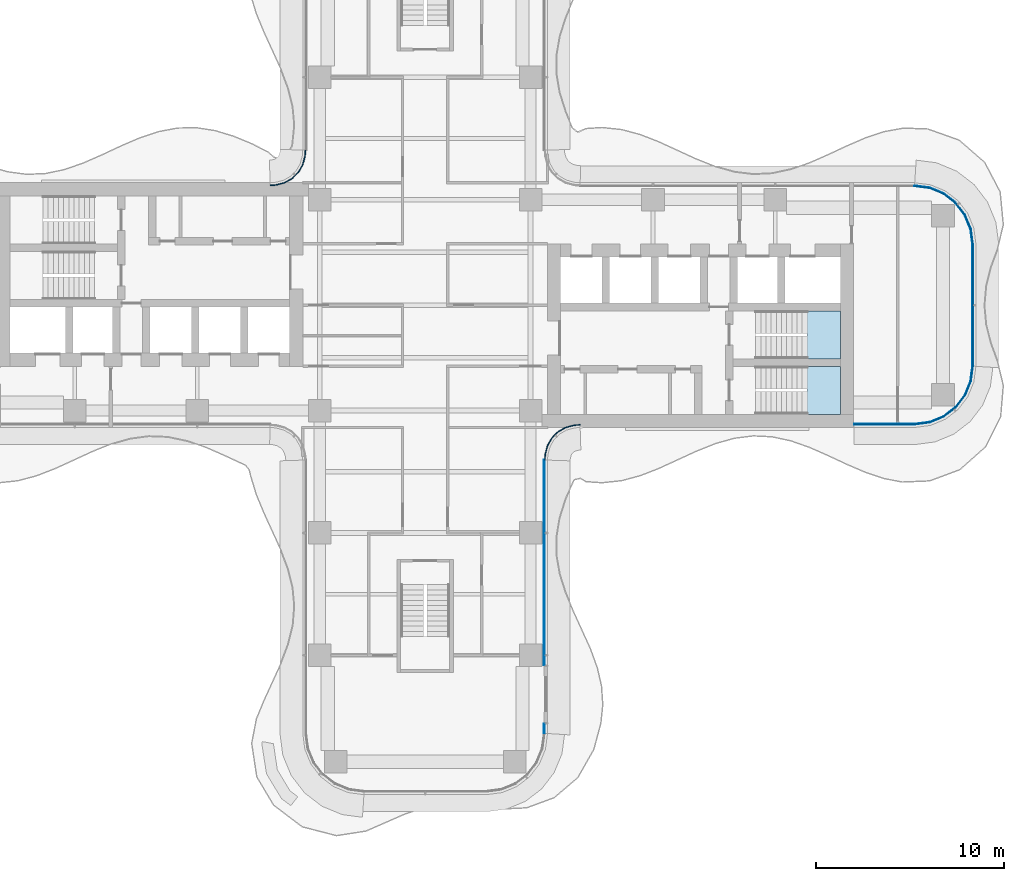
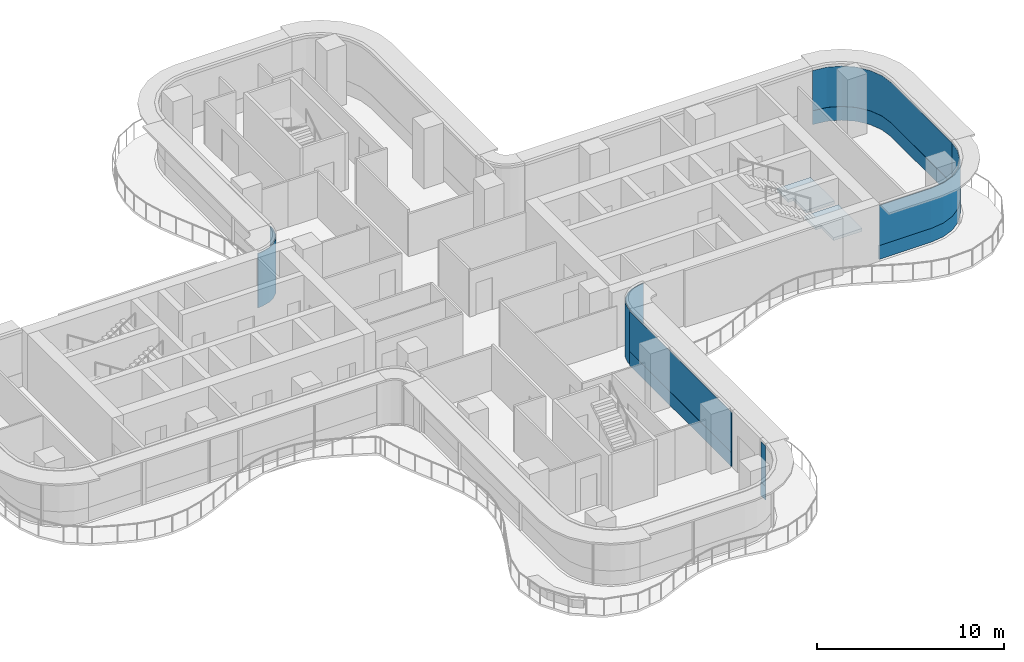
# One storey, part 11 of 18: 10 plates, 2 slabs, 8 elements without a shape of their own.
"""IFC4 building model written with IfcOpenShell, lengths in metres."""

from ifc_helpers import new_model, si_unit, direction, frame, origin, place, context, subcontext, project, spatial, polyline, outline, extrude, source, transform, mapped, material, layer, layer_set, type_object, element, aggregate, save


model = new_model("IFC4")

# Units and contexts
model_context = context("Model", 3, precision=1e-05, world=origin(), true_north=direction((0.0, 1.0)))
body_context = subcontext(model_context, "Body", "Model", "MODEL_VIEW")
ifc_project = project(units=[si_unit("LENGTHUNIT", "METRE"), si_unit("AREAUNIT", "SQUARE_METRE"), si_unit("VOLUMEUNIT", "CUBIC_METRE"), si_unit("PLANEANGLEUNIT", "RADIAN"), si_unit("MASSUNIT", "GRAM", prefix="KILO")], contexts=[model_context])

# Site, building, storey
site_placement = place(None, origin())
site = spatial("IfcSite", under=ifc_project, at=site_placement, CompositionType="ELEMENT")
building_placement = place(site_placement, origin())
building = spatial("IfcBuilding", under=site, at=building_placement, Name="Trellis Farm Tower", CompositionType="ELEMENT")
storey_placement = place(building_placement, frame((0.0, 0.0, 201.0)))
storey = spatial("IfcBuildingStorey", under=building, at=storey_placement, Name="L44", CompositionType="ELEMENT", Elevation=201.0)

# Stair, slab
ifc_material_1 = material(Name="Concrete C50/60", Category="concrete")
stair_type = type_object("IfcStairType", Name="CORE EXIT STAIR 22 RISERS 177 MM", PredefinedType="HALF_TURN_STAIR", material=ifc_material_1)
placement_1 = place(storey_placement, origin())
stair_1 = element("IfcStair", 1, at=placement_1, inside=storey, type_object=stair_type, Name="Exit stair E1", PredefinedType="HALF_TURN_STAIR")
ifc_layer_1 = layer(ifc_material_1, 0.18994140625)
ifc_layer_set_1 = layer_set([ifc_layer_1], Name="CORE STAIR LANDING 190 CONCRETE C50/60")
slab_type = type_object("IfcSlabType", Name="CORE STAIR LANDING 190 CONCRETE C50/60", PredefinedType="LANDING", material=ifc_layer_set_1)
shared_shape_1 = source(origin(), body_context, "Body", "SweptSolid", [
    extrude(outline(polyline([(20.2900390625, -5.800048828125), (20.2900390625, -4.60009765625), (20.300048828125, -4.60009765625), (20.300048828125, -4.449951171875), (19.971923828125, -4.449951171875), (19.971923828125, -3.25), (20.300048828125, -3.25), (22.050048828125, -3.25), (22.050048828125, -5.800048828125), (20.300048828125, -5.800048828125), (20.2900390625, -5.800048828125)])), origin(), (0.0, 0.0, 1.0), 0.18994140625),
])
placement_2 = place(storey_placement, frame((0.0, 0.0, 1.760009765625)))
slab_1 = element("IfcSlab", 2, at=placement_2, type_object=slab_type, Name="STE1 landing 1", PredefinedType="LANDING", context=body_context, shape_type="MappedRepresentation", body=[
    mapped(shared_shape_1, transform((0.0, 0.0, 0.0))),
])
aggregate(stair_1, [slab_1])

stair_2 = element("IfcStair", 3, at=placement_1, inside=storey, type_object=stair_type, Name="Exit stair E2", PredefinedType="HALF_TURN_STAIR")
shared_shape_2 = source(origin(), body_context, "Body", "SweptSolid", [
    extrude(outline(polyline([(20.2900390625, -2.85009765625), (20.2900390625, -1.64990234375), (20.300048828125, -1.64990234375), (20.300048828125, -1.5), (19.971923828125, -1.5), (19.971923828125, -0.300048828125), (20.300048828125, -0.300048828125), (22.050048828125, -0.300048828125), (22.050048828125, -2.85009765625), (20.300048828125, -2.85009765625), (20.2900390625, -2.85009765625)])), origin(), (0.0, 0.0, 1.0), 0.18994140625),
])
slab_2 = element("IfcSlab", 4, at=placement_2, type_object=slab_type, Name="STE2 landing 1", PredefinedType="LANDING", context=body_context, shape_type="MappedRepresentation", body=[
    mapped(shared_shape_2, transform((0.0, 0.0, 0.0))),
])
aggregate(stair_2, [slab_2])

# Curtain wall, plate
ifc_material_2 = material(Name="Aluminium and glass curtain wall", Category="aluminium")
ifc_layer_2 = layer(ifc_material_2, 0.18994140625)
ifc_layer_set_2 = layer_set([ifc_layer_2], Name="RIBBON CURTAIN WALL CW1")
curtain_wall_type_1 = type_object("IfcCurtainWallType", Name="RIBBON CURTAIN WALL CW1", PredefinedType="NOTDEFINED", material=ifc_layer_set_2)
curtain_wall_1 = element("IfcCurtainWall", 5, at=placement_1, inside=storey, type_object=curtain_wall_type_1, Name="CW1 006", PredefinedType="NOTDEFINED")
ifc_material_3 = material(Name="Sandstone faced insulated panel", Category="masonry")
ifc_layer_3 = layer(ifc_material_3, 0.050048828125)
ifc_layer_set_3 = layer_set([ifc_layer_3], Name="CW1 STONE SPANDREL PANEL 50")
plate_type_1 = type_object("IfcPlateType", Name="CW1 STONE SPANDREL PANEL 50", PredefinedType="CURTAIN_PANEL", material=ifc_layer_set_3)
shared_shape_3 = source(origin(), body_context, "Body", "SweptSolid", [
    extrude(outline(polyline([(22.780029296875, -6.35009765625), (25.990234375, -6.35009765625), (26.802001953125, -6.2431640625), (27.54931640625, -5.93359375), (28.191162109375, -5.441162109375), (28.68359375, -4.79931640625), (28.9931640625, -4.052001953125), (29.10009765625, -3.240234375), (29.050048828125, -3.23681640625), (28.9443359375, -4.0390625), (28.639892578125, -4.774169921875), (28.155517578125, -5.405517578125), (27.524169921875, -5.889892578125), (26.7890625, -6.1943359375), (25.98681640625, -6.300048828125), (22.780029296875, -6.300048828125), (22.780029296875, -6.35009765625)])), origin(), (0.0, 0.0, 1.0), 0.89990234375),
])
plate_1 = element("IfcPlate", 6, at=placement_1, type_object=plate_type_1, Name="PS1 006", PredefinedType="CURTAIN_PANEL", context=body_context, shape_type="MappedRepresentation", body=[
    mapped(shared_shape_3, transform((0.0, 0.0, 0.0))),
])

curtain_wall_2 = element("IfcCurtainWall", 7, at=placement_1, inside=storey, type_object=curtain_wall_type_1, Name="CW1 007", PredefinedType="NOTDEFINED")
shared_shape_4 = source(origin(), body_context, "Body", "SweptSolid", [
    extrude(outline(polyline([(29.10009765625, -3.240234375), (29.10009765625, 3.240234375), (28.9931640625, 4.052001953125), (28.68359375, 4.79931640625), (28.191162109375, 5.441162109375), (27.54931640625, 5.93359375), (26.802001953125, 6.2431640625), (25.990234375, 6.35009765625), (25.98681640625, 6.300048828125), (26.7890625, 6.1943359375), (27.524169921875, 5.889892578125), (28.155517578125, 5.405517578125), (28.639892578125, 4.774169921875), (28.9443359375, 4.0390625), (29.050048828125, 3.23681640625), (29.050048828125, -3.23681640625), (29.10009765625, -3.240234375)])), origin(), (0.0, 0.0, 1.0), 0.89990234375),
])
plate_2 = element("IfcPlate", 8, at=placement_1, type_object=plate_type_1, Name="PS1 007", PredefinedType="CURTAIN_PANEL", context=body_context, shape_type="MappedRepresentation", body=[
    mapped(shared_shape_4, transform((0.0, 0.0, 0.0))),
])

ifc_layer_4 = layer(ifc_material_2, 0.166015625)
ifc_layer_set_4 = layer_set([ifc_layer_4], Name="WINTER GARDEN CURTAIN WALL CW3")
curtain_wall_type_2 = type_object("IfcCurtainWallType", Name="WINTER GARDEN CURTAIN WALL CW3", PredefinedType="NOTDEFINED", material=ifc_layer_set_4)
curtain_wall_3 = element("IfcCurtainWall", 9, at=placement_1, inside=storey, type_object=curtain_wall_type_2, Name="CW3 002", PredefinedType="NOTDEFINED")
ifc_material_4 = material(Name="Clear insulated glass", Category="glass")
ifc_layer_5 = layer(ifc_material_4, 0.0458984375)
ifc_layer_set_5 = layer_set([ifc_layer_5], Name="CW3 GLASS PANEL 46")
plate_type_2 = type_object("IfcPlateType", Name="CW3 GLASS PANEL 46", PredefinedType="CURTAIN_PANEL", material=ifc_layer_set_5)
shared_shape_5 = source(origin(), body_context, "Body", "SweptSolid", [
    extrude(outline(polyline([(6.3798828125, -8.2275390625), (6.394287109375, -8.0078125), (6.40966796875, -7.89208984375), (6.52490234375, -7.462158203125), (6.7509765625, -7.070556640625), (7.070556640625, -6.7509765625), (7.462158203125, -6.52490234375), (7.89208984375, -6.40966796875), (8.0078125, -6.394287109375), (8.2275390625, -6.3798828125), (8.22607421875, -6.333984375), (8.003173828125, -6.3486328125), (7.883056640625, -6.364501953125), (7.4443359375, -6.48193359375), (7.04248046875, -6.714111328125), (6.714111328125, -7.04248046875), (6.48193359375, -7.4443359375), (6.364501953125, -7.883056640625), (6.3486328125, -8.003173828125), (6.333984375, -8.22607421875), (6.3798828125, -8.2275390625)])), origin(), (0.0, 0.0, 1.0), 3.550048828125),
])
plate_3 = element("IfcPlate", 10, at=placement_1, type_object=plate_type_2, Name="PL3 002", PredefinedType="CURTAIN_PANEL", context=body_context, shape_type="MappedRepresentation", body=[
    mapped(shared_shape_5, transform((0.0, 0.0, 0.0))),
])
aggregate(curtain_wall_3, [plate_3])

curtain_wall_4 = element("IfcCurtainWall", 11, at=placement_1, inside=storey, type_object=curtain_wall_type_2, Name="CW3 004", PredefinedType="NOTDEFINED")
shared_shape_6 = source(origin(), body_context, "Body", "SweptSolid", [
    extrude(outline(polyline([(-6.3798828125, 8.2275390625), (-6.394287109375, 8.0078125), (-6.40966796875, 7.89208984375), (-6.52490234375, 7.462158203125), (-6.7509765625, 7.070556640625), (-7.070556640625, 6.7509765625), (-7.462158203125, 6.52490234375), (-7.89208984375, 6.40966796875), (-8.0078125, 6.394287109375), (-8.2275390625, 6.3798828125), (-8.22607421875, 6.333984375), (-8.003173828125, 6.3486328125), (-7.883056640625, 6.364501953125), (-7.4443359375, 6.48193359375), (-7.04248046875, 6.714111328125), (-6.714111328125, 7.04248046875), (-6.48193359375, 7.4443359375), (-6.364501953125, 7.883056640625), (-6.3486328125, 8.003173828125), (-6.333984375, 8.22607421875), (-6.3798828125, 8.2275390625)])), origin(), (0.0, 0.0, 1.0), 3.550048828125),
])
plate_4 = element("IfcPlate", 12, at=placement_1, type_object=plate_type_2, Name="PL3 004", PredefinedType="CURTAIN_PANEL", context=body_context, shape_type="MappedRepresentation", body=[
    mapped(shared_shape_6, transform((0.0, 0.0, 0.0))),
])
aggregate(curtain_wall_4, [plate_4])

curtain_wall_5 = element("IfcCurtainWall", 13, at=placement_1, inside=storey, type_object=curtain_wall_type_1, Name="CW1 004", PredefinedType="NOTDEFINED")
shared_shape_7 = source(origin(), body_context, "Body", "SweptSolid", [
    extrude(outline(polyline([(6.35009765625, -22.740234375), (6.35009765625, -22.235107421875), (6.300048828125, -22.235107421875), (6.300048828125, -22.73681640625), (6.35009765625, -22.740234375)])), origin(), (0.0, 0.0, 1.0), 0.89990234375),
])
plate_5 = element("IfcPlate", 14, at=placement_1, type_object=plate_type_1, Name="PS1 004", PredefinedType="CURTAIN_PANEL", context=body_context, shape_type="MappedRepresentation", body=[
    mapped(shared_shape_7, transform((0.0, 0.0, 0.0))),
])

curtain_wall_6 = element("IfcCurtainWall", 15, at=placement_1, inside=storey, type_object=curtain_wall_type_1, Name="CW1 005", PredefinedType="NOTDEFINED")
shared_shape_8 = source(origin(), body_context, "Body", "SweptSolid", [
    extrude(outline(polyline([(6.35009765625, -19.114990234375), (6.35009765625, -8.2265625), (6.300048828125, -8.224853515625), (6.300048828125, -19.114990234375), (6.35009765625, -19.114990234375)])), origin(), (0.0, 0.0, 1.0), 0.89990234375),
])
plate_6 = element("IfcPlate", 16, at=placement_1, type_object=plate_type_1, Name="PS1 005", PredefinedType="CURTAIN_PANEL", context=body_context, shape_type="MappedRepresentation", body=[
    mapped(shared_shape_8, transform((0.0, 0.0, 0.0))),
])

# Plate
ifc_layer_6 = layer(ifc_material_4, 0.0400390625)
ifc_layer_set_6 = layer_set([ifc_layer_6], Name="CW1 GLASS PANEL 40")
plate_type_3 = type_object("IfcPlateType", Name="CW1 GLASS PANEL 40", PredefinedType="CURTAIN_PANEL", material=ifc_layer_set_6)
shared_shape_9 = source(origin(), body_context, "Body", "SweptSolid", [
    extrude(outline(polyline([(22.780029296875, -6.35009765625), (25.990234375, -6.35009765625), (26.802001953125, -6.2431640625), (27.54931640625, -5.93359375), (28.191162109375, -5.441162109375), (28.68359375, -4.79931640625), (28.9931640625, -4.052001953125), (29.10009765625, -3.240234375), (29.06005859375, -3.237548828125), (28.9541015625, -4.04150390625), (28.648681640625, -4.779296875), (28.16259765625, -5.41259765625), (27.529296875, -5.898681640625), (26.79150390625, -6.2041015625), (25.987548828125, -6.31005859375), (22.780029296875, -6.31005859375), (22.780029296875, -6.35009765625)])), origin(), (0.0, 0.0, 1.0), 2.6201171875),
])
placement_3 = place(storey_placement, frame((0.0, 0.0, 0.89990234375)))
plate_7 = element("IfcPlate", 17, at=placement_3, type_object=plate_type_3, Name="PL1 006", PredefinedType="CURTAIN_PANEL", context=body_context, shape_type="MappedRepresentation", body=[
    mapped(shared_shape_9, transform((0.0, 0.0, 0.0))),
])

aggregate(curtain_wall_1, [plate_7, plate_1])

shared_shape_10 = source(origin(), body_context, "Body", "SweptSolid", [
    extrude(outline(polyline([(29.10009765625, -3.240234375), (29.10009765625, 3.240234375), (28.9931640625, 4.052001953125), (28.68359375, 4.79931640625), (28.191162109375, 5.441162109375), (27.54931640625, 5.93359375), (26.802001953125, 6.2431640625), (25.990234375, 6.35009765625), (25.987548828125, 6.31005859375), (26.79150390625, 6.2041015625), (27.529296875, 5.898681640625), (28.16259765625, 5.41259765625), (28.648681640625, 4.779296875), (28.9541015625, 4.04150390625), (29.06005859375, 3.237548828125), (29.06005859375, -3.237548828125), (29.10009765625, -3.240234375)])), origin(), (0.0, 0.0, 1.0), 2.6201171875),
])
plate_8 = element("IfcPlate", 18, at=placement_3, type_object=plate_type_3, Name="PL1 007", PredefinedType="CURTAIN_PANEL", context=body_context, shape_type="MappedRepresentation", body=[
    mapped(shared_shape_10, transform((0.0, 0.0, 0.0))),
])

aggregate(curtain_wall_2, [plate_8, plate_2])

shared_shape_11 = source(origin(), body_context, "Body", "SweptSolid", [
    extrude(outline(polyline([(6.35009765625, -22.740234375), (6.35009765625, -22.235107421875), (6.31005859375, -22.235107421875), (6.31005859375, -22.737548828125), (6.35009765625, -22.740234375)])), origin(), (0.0, 0.0, 1.0), 2.6201171875),
])
plate_9 = element("IfcPlate", 19, at=placement_3, type_object=plate_type_3, Name="PL1 004", PredefinedType="CURTAIN_PANEL", context=body_context, shape_type="MappedRepresentation", body=[
    mapped(shared_shape_11, transform((0.0, 0.0, 0.0))),
])

aggregate(curtain_wall_5, [plate_9, plate_5])

shared_shape_12 = source(origin(), body_context, "Body", "SweptSolid", [
    extrude(outline(polyline([(6.35009765625, -19.114990234375), (6.35009765625, -8.2265625), (6.31005859375, -8.22509765625), (6.31005859375, -19.114990234375), (6.35009765625, -19.114990234375)])), origin(), (0.0, 0.0, 1.0), 2.6201171875),
])
plate_10 = element("IfcPlate", 20, at=placement_3, type_object=plate_type_3, Name="PL1 005", PredefinedType="CURTAIN_PANEL", context=body_context, shape_type="MappedRepresentation", body=[
    mapped(shared_shape_12, transform((0.0, 0.0, 0.0))),
])

aggregate(curtain_wall_6, [plate_10, plate_6])

save(model, "model.ifc")
